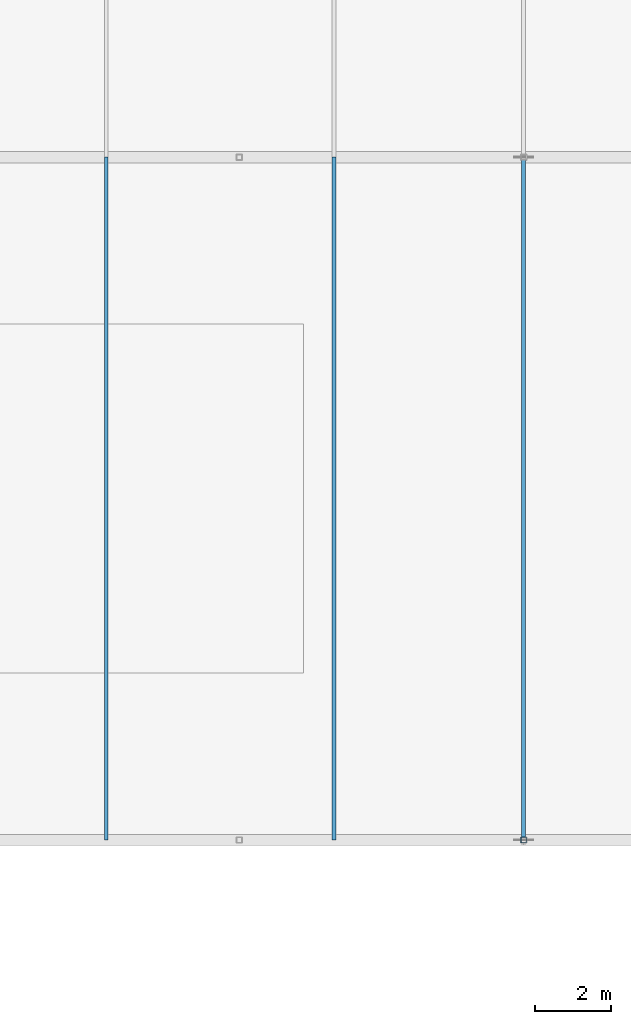
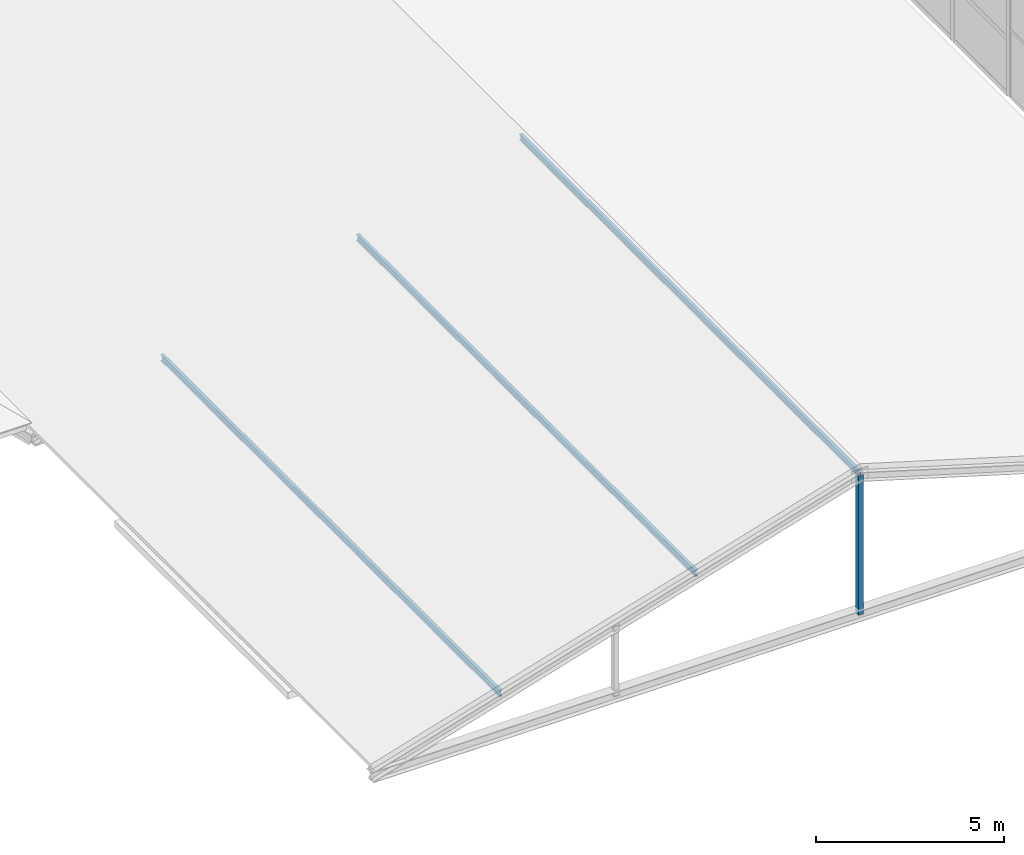
# One storey, part 3 of 204: 4 members.
"""IFC4 building model written with IfcOpenShell, lengths in metres."""

from ifc_helpers import new_model, si_unit, direction, frame, origin, origin_2d, place, context, subcontext, project, spatial, hollow_rectangle, i_section, extrude, material, material_profile, profile_set, type_object, element, save


model = new_model("IFC4")

# Units and contexts
model_context = context("Model", 3, precision=1e-05, world=origin(), true_north=direction((0.0, 1.0)))
body_context = subcontext(model_context, "Body", "Model", "MODEL_VIEW")
ifc_project = project(units=[si_unit("LENGTHUNIT", "METRE"), si_unit("AREAUNIT", "SQUARE_METRE"), si_unit("VOLUMEUNIT", "CUBIC_METRE"), si_unit("PLANEANGLEUNIT", "RADIAN"), si_unit("MASSUNIT", "GRAM", prefix="KILO")], contexts=[model_context])

# Site, building, storey
site_placement = place(None, origin())
site = spatial("IfcSite", under=ifc_project, at=site_placement, CompositionType="ELEMENT")
building_placement = place(site_placement, origin())
building = spatial("IfcBuilding", under=site, at=building_placement, Name="Zilviju Railside Exhibition Hall", CompositionType="ELEMENT")
storey_placement = place(building_placement, frame((0.0, 0.0, 21.0)))
storey = spatial("IfcBuildingStorey", under=building, at=storey_placement, Name="RF", CompositionType="ELEMENT", Elevation=21.0)

# Members
ifc_material = material(Name="Steel S355J2", Category="steel")
ifc_material_profile_1 = material_profile(ifc_material, hollow_rectangle(XDim=0.14990234375, YDim=0.14990234375, WallThickness=0.008056640625, at=origin_2d()), Name="SHS 150x150x8.0")
ifc_profile_set_1 = profile_set([ifc_material_profile_1], Name="Steel S355J2")
member_type_1 = type_object("IfcMemberType", Name="TR-POST-SHS150", PredefinedType="POST", material=ifc_profile_set_1)
member_placement = place(storey_placement, frame((63.0, 18.0, -8.39990234375), z_axis=(0.0, 0.0, 1.0), x_axis=(1.0, 0.0, 0.0)))
element("IfcMember", 1, at=member_placement, inside=storey, type_object=member_type_1, Name="Concourse Saddle King Post Y=18.0", PredefinedType="POST", context=body_context, shape_type="SweptSolid", body=[
    extrude(hollow_rectangle(XDim=0.14990234375, YDim=0.14990234375, WallThickness=0.008056640625, at=origin_2d()), origin(), (0.0, 0.0, 1.0), 4.5),
])
ifc_material_profile_2 = material_profile(ifc_material, i_section(OverallWidth=0.10009765625, OverallDepth=0.199951171875, WebThickness=0.005615234375, FlangeThickness=0.008544921875, at=origin_2d()), Name="IPE 200")
ifc_profile_set_2 = profile_set([ifc_material_profile_2], Name="Steel S355J2")
member_type_2 = type_object("IfcMemberType", Name="TR-PUR-IPE200", PredefinedType="PURLIN", material=ifc_profile_set_2)
for number, where, z_axis, x_axis, name in (
    (2, (52.0, 18.0, -7.159912109375), (0.0, 1.0, 0.0), (-1.0, 0.0, 0.0), "Concourse Lantern Purlin X=52.0"),
    (3, (58.0, 18.0, -5.360107421875), (0.0, 1.0, 0.0), (-1.0, 0.0, 0.0), "Concourse Lantern Purlin X=58.0"),
    (4, (63.0, 18.0, -3.860107421875), (0.0, 1.0, 0.0), (-1.0, 0.0, 0.0), "Concourse Lantern Purlin X=63.0"),
):
    element("IfcMember", number, at=place(storey_placement, frame(where, z_axis=z_axis, x_axis=x_axis)), inside=storey, type_object=member_type_2, Name=name, PredefinedType="PURLIN", context=body_context, shape_type="SweptSolid", body=[
        extrude(i_section(OverallWidth=0.10009765625, OverallDepth=0.199951171875, WebThickness=0.005615234375, FlangeThickness=0.008544921875, at=origin_2d()), origin(), (0.0, 0.0, 1.0), 18.0),
    ])

save(model, "model.ifc")
